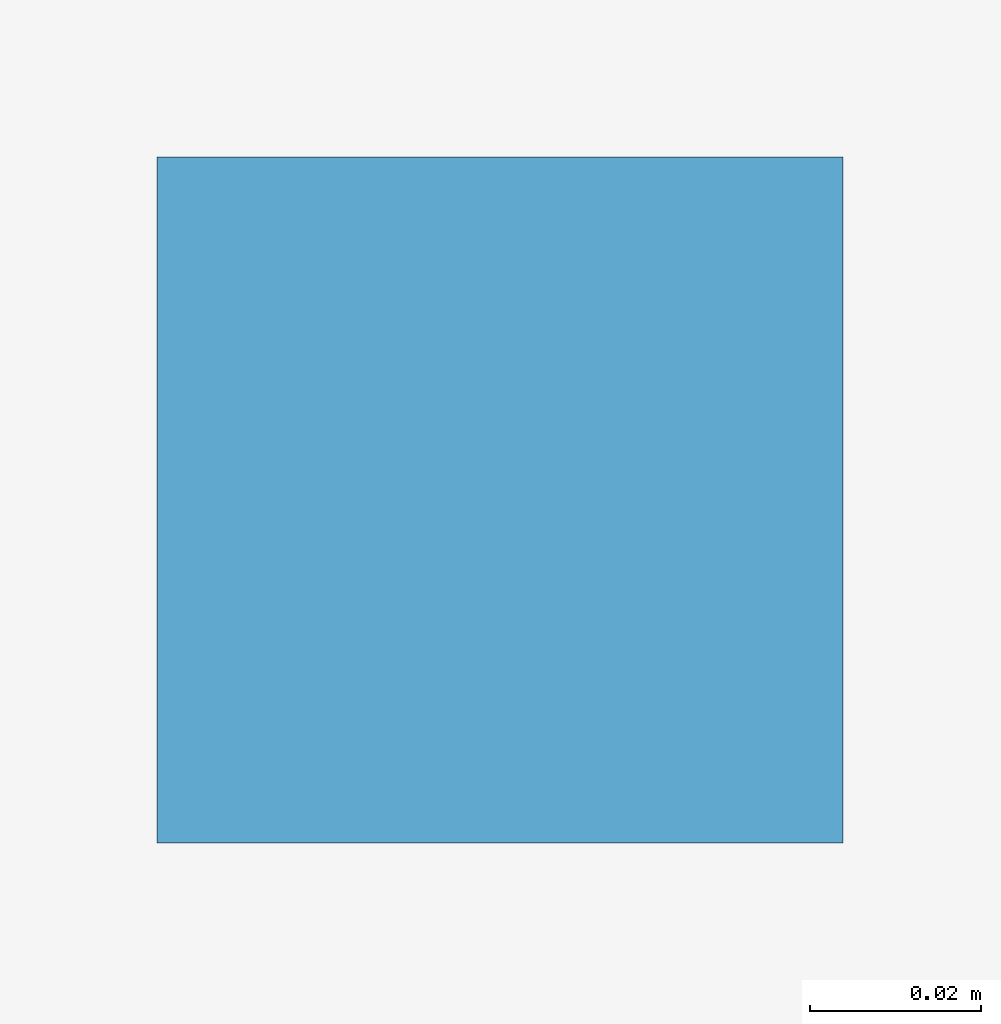
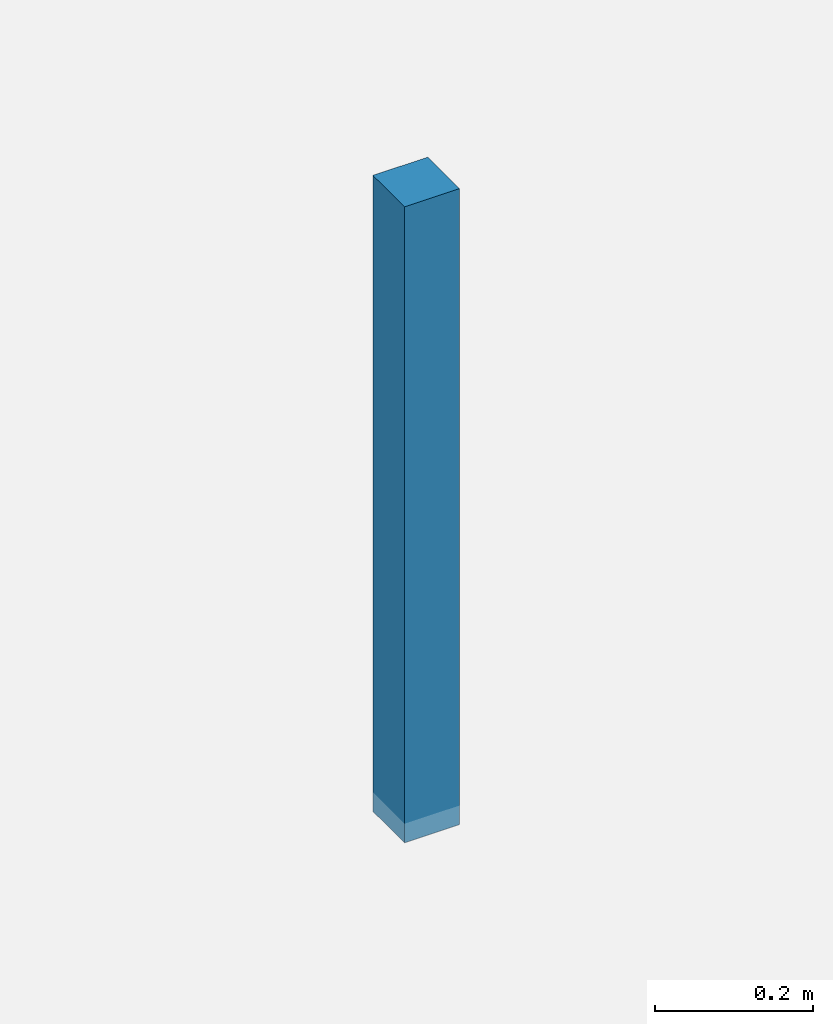
# One storey, part 11 of 15: 1 discrete accessory.
"""IFC4 building model written with IfcOpenShell, lengths in metres."""

from ifc_helpers import new_model, si_unit, direction, frame, origin, origin_2d, place, context, subcontext, project, spatial, rectangle, extrude, source, transform, mapped, material, type_object, element, save


model = new_model("IFC4")

# Units and contexts
model_context = context("Model", 3, precision=1e-05, world=origin(), true_north=direction((0.0, 1.0)))
body_context = subcontext(model_context, "Body", "Model", "MODEL_VIEW")
ifc_project = project(units=[si_unit("LENGTHUNIT", "METRE"), si_unit("AREAUNIT", "SQUARE_METRE"), si_unit("VOLUMEUNIT", "CUBIC_METRE"), si_unit("PLANEANGLEUNIT", "RADIAN"), si_unit("MASSUNIT", "GRAM", prefix="KILO")], contexts=[model_context])

# Site, building, storey
site_placement = place(None, origin())
site = spatial("IfcSite", under=ifc_project, at=site_placement, CompositionType="ELEMENT")
building_placement = place(site_placement, origin())
building = spatial("IfcBuilding", under=site, at=building_placement, Name="Giltprow Tower", CompositionType="ELEMENT")
storey_placement = place(building_placement, frame((0.0, 0.0, 115.300048828125)))
storey = spatial("IfcBuildingStorey", under=building, at=storey_placement, Name="L28", CompositionType="ELEMENT", Elevation=115.300048828125)

# Discrete accessory
ifc_material = material(Name="Structural steel Q355B", Category="steel")
discrete_accessory_type = type_object("IfcDiscreteAccessoryType", Name="ACC-CLG-HANGER", PredefinedType="BRACKET", material=ifc_material)
shared_shape = source(origin(), body_context, "Body", "SweptSolid", [
    extrude(rectangle(XDim=0.080078125, YDim=0.080078125, at=origin_2d()), origin(), (0.0, 0.0, 1.0), 0.97998046875),
])
discrete_accessory_placement = place(storey_placement, frame((25.39990234375, 20.820068359375, 2.719970703125), z_axis=(0.0, 0.0, 1.0), x_axis=(1.0, 0.0, 0.0)))
element("IfcDiscreteAccessory", 1, at=discrete_accessory_placement, inside=storey, type_object=discrete_accessory_type, Name="L28 Office Acoustic Ceiling Suspension Hanger", PredefinedType="BRACKET", context=body_context, shape_type="MappedRepresentation", body=[
    mapped(shared_shape, transform((0.0, 0.0, 0.0), x_axis=(1.0, 0.0, 0.0), y_axis=(0.0, 1.0, 0.0), z_axis=(0.0, 0.0, 1.0), scale=1.0)),
])

save(model, "model.ifc")
